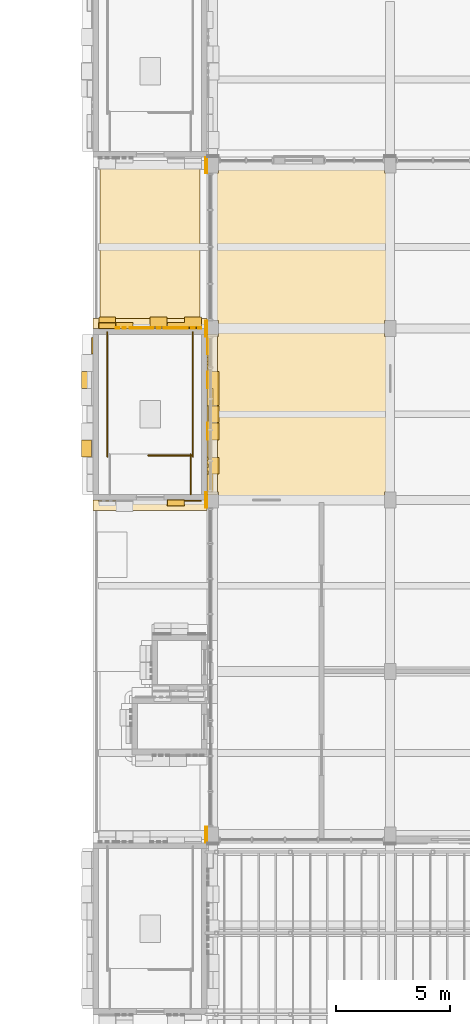
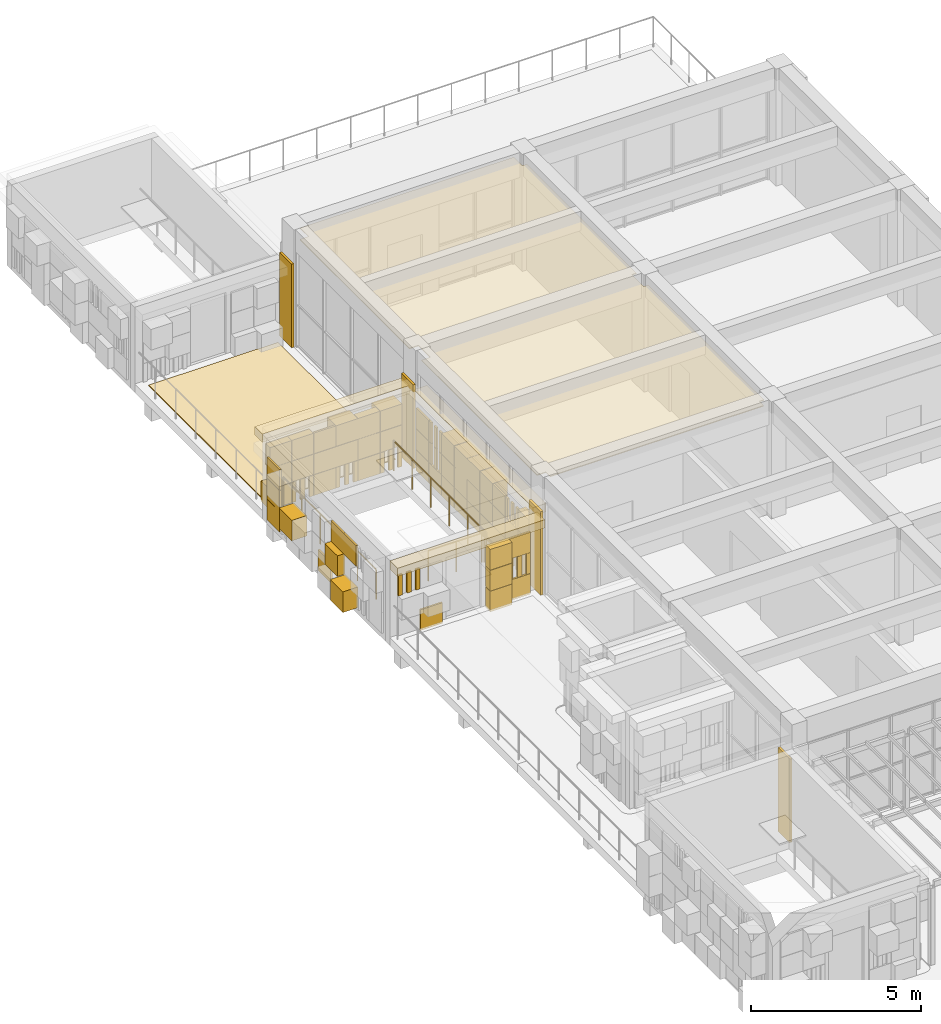
# One storey, part 24 of 26: 23 coverings, 4 railings.
"""IFC4 building model written with IfcOpenShell, lengths in metres."""

from ifc_helpers import new_model, si_unit, direction, frame, origin, origin_2d, place, context, subcontext, project, spatial, polyline, rectangle, circle, outline, extrude, material, layer, layer_set, type_object, element, save


model = new_model("IFC4")

# Units and contexts
model_context = context("Model", 3, precision=1e-05, world=origin(), true_north=direction((0.0, 1.0)))
body_context = subcontext(model_context, "Body", "Model", "MODEL_VIEW")
ifc_project = project(units=[si_unit("LENGTHUNIT", "METRE"), si_unit("AREAUNIT", "SQUARE_METRE"), si_unit("VOLUMEUNIT", "CUBIC_METRE"), si_unit("PLANEANGLEUNIT", "RADIAN"), si_unit("MASSUNIT", "GRAM", prefix="KILO")], contexts=[model_context])

# Site, building, storey
site_placement = place(None, origin())
site = spatial("IfcSite", under=ifc_project, at=site_placement, CompositionType="ELEMENT")
building_placement = place(site_placement, origin())
building = spatial("IfcBuilding", under=site, at=building_placement, Name="Sun Court Science Centre", CompositionType="ELEMENT")
storey_placement = place(building_placement, frame((0.0, 0.0, 29.25)))
storey = spatial("IfcBuildingStorey", under=building, at=storey_placement, Name="L06", CompositionType="ELEMENT", Elevation=29.25)

# Covering
ifc_material_1 = material(Name="Gypsum board")
ifc_layer_1 = layer(ifc_material_1, 0.030029296875)
ifc_layer_set_1 = layer_set([ifc_layer_1], Name="Gypsum board")
covering_type_1 = type_object("IfcCoveringType", Name="Ceiling suspended 600 module", PredefinedType="CEILING", material=ifc_layer_set_1)
covering_1_placement = place(storey_placement, frame((0.0, 0.0, 3.77001953125)))
element("IfcCovering", 1, at=covering_1_placement, inside=storey, type_object=covering_type_1, Name="L06-009 ceiling", PredefinedType="CEILING", context=body_context, shape_type="SweptSolid", body=[
    extrude(outline(polyline([(87.5, 73.300048828125), (94.75, 73.300048828125), (94.75, 72.800048828125), (94.89990234375, 72.800048828125), (94.89990234375, 66.35009765625), (94.75, 66.35009765625), (94.75, 65.64990234375), (94.89990234375, 65.64990234375), (94.89990234375, 58.85009765625), (94.75, 58.85009765625), (94.75, 58.60009765625), (87.5, 58.60009765625), (87.5, 58.85009765625), (87.199951171875, 58.85009765625), (87.199951171875, 65.64990234375), (87.5, 65.64990234375), (87.5, 66.35009765625), (87.199951171875, 66.35009765625), (87.199951171875, 72.800048828125), (87.5, 72.800048828125), (87.5, 73.300048828125)])), origin(), (0.0, 0.0, 1.0), 0.030029296875),
])

# Railings
ifc_material_2 = material(Name="Steel S275", Category="steel")
railing_type = type_object("IfcRailingType", Name="Guard 1100 steel balustrade", PredefinedType="GUARDRAIL", material=ifc_material_2)
railing_1_placement = place(storey_placement, frame((86.322998046875, 60.447998046875, 0.0)))
element("IfcRailing", 2, at=railing_1_placement, inside=storey, type_object=railing_type, Name="L06 SL3 top well guard 1", PredefinedType="GUARDRAIL", context=body_context, shape_type="SweptSolid", body=[
    extrude(circle(Radius=0.02392578125, at=origin_2d()), frame((0.0, 0.0, 1.076171875), z_axis=(-1.0, 0.0, 0.0), x_axis=(0.0, -1.0, 0.0)), (0.0, 0.0, 1.0), 1.89794921875),
    extrude(circle(Radius=0.02099609375, at=origin_2d()), origin(), (0.0, 0.0, 1.0), 1.052001953125),
    extrude(circle(Radius=0.02099609375, at=origin_2d()), frame((-0.948974609375, 0.0, 0.0)), (0.0, 0.0, 1.0), 1.052001953125),
    extrude(circle(Radius=0.02099609375, at=origin_2d()), frame((-1.89794921875, 0.0, 0.0)), (0.0, 0.0, 1.0), 1.052001953125),
])
for number, where, name in (
    (3, (86.373046875, 60.39794921875, 0.0), "L06 SL3 top well guard 2"),
    (4, (82.626953125, 60.39794921875, 0.0), "L06 SL3 top well guard 3"),
):
    element("IfcRailing", number, at=place(storey_placement, frame(where)), inside=storey, type_object=railing_type, Name=name, PredefinedType="GUARDRAIL", context=body_context, shape_type="SweptSolid", body=[
        extrude(circle(Radius=0.02392578125, at=origin_2d()), frame((0.0, 0.0, 1.076171875), z_axis=(0.0, 1.0, 0.0), x_axis=(-1.0, 0.0, 0.0)), (0.0, 0.0, 1.0), 5.4521484375),
        extrude(circle(Radius=0.02099609375, at=origin_2d()), origin(), (0.0, 0.0, 1.0), 1.052001953125),
        extrude(circle(Radius=0.02099609375, at=origin_2d()), frame((0.0, 1.09033203125, 0.0)), (0.0, 0.0, 1.0), 1.052001953125),
        extrude(circle(Radius=0.02099609375, at=origin_2d()), frame((0.0, 2.180908203125, 0.0)), (0.0, 0.0, 1.0), 1.052001953125),
        extrude(circle(Radius=0.02099609375, at=origin_2d()), frame((0.0, 3.271240234375, 0.0)), (0.0, 0.0, 1.0), 1.052001953125),
        extrude(circle(Radius=0.02099609375, at=origin_2d()), frame((0.0, 4.36181640625, 0.0)), (0.0, 0.0, 1.0), 1.052001953125),
        extrude(circle(Radius=0.02099609375, at=origin_2d()), frame((0.0, 5.4521484375, 0.0)), (0.0, 0.0, 1.0), 1.052001953125),
    ])
railing_2_placement = place(storey_placement, frame((86.27294921875, 58.75, 0.0)))
element("IfcRailing", 5, at=railing_2_placement, inside=storey, type_object=railing_type, Name="L06 SL3 top well guard 4", PredefinedType="GUARDRAIL", context=body_context, shape_type="SweptSolid", body=[
    extrude(circle(Radius=0.02392578125, at=origin_2d()), frame((0.0, 0.0, 1.076171875), z_axis=(0.0, 1.0, 0.0), x_axis=(-1.0, 0.0, 0.0)), (0.0, 0.0, 1.0), 1.748046875),
    extrude(circle(Radius=0.02099609375, at=origin_2d()), origin(), (0.0, 0.0, 1.0), 1.052001953125),
    extrude(circle(Radius=0.02099609375, at=origin_2d()), frame((0.0, 0.8740234375, 0.0)), (0.0, 0.0, 1.0), 1.052001953125),
    extrude(circle(Radius=0.02099609375, at=origin_2d()), frame((0.0, 1.748046875, 0.0)), (0.0, 0.0, 1.0), 1.052001953125),
])

# Coverings
ifc_material_3 = material(Name="Red sandstone", Category="masonry")
ifc_layer_2 = layer(ifc_material_3, 0.080078125)
ifc_layer_set_2 = layer_set([ifc_layer_2], Name="Red sandstone")
covering_type_2 = type_object("IfcCoveringType", Name="Red sandstone pier cladding", PredefinedType="CLADDING", material=ifc_layer_set_2)
covering_2_placement = place(storey_placement, frame((0.0, 0.0, -29.25)))
element("IfcCovering", 6, at=covering_2_placement, inside=storey, type_object=covering_type_2, Name="Red sandstone pier cladding observatory west face L06", PredefinedType="CLADDING", context=body_context, shape_type="SweptSolid", body=[
    extrude(rectangle(XDim=0.699951171875, YDim=0.080078125, at=origin_2d()), frame((86.9599609375, 43.85009765625, 29.25), z_axis=(0.0, 0.0, 1.0), x_axis=(0.0, 1.0, 0.0)), (0.0, 0.0, 1.0), 3.0),
    extrude(rectangle(XDim=0.699951171875, YDim=0.080078125, at=origin_2d()), frame((86.9599609375, 58.5, 29.25), z_axis=(0.0, 0.0, 1.0), x_axis=(0.0, 1.0, 0.0)), (0.0, 0.0, 1.0), 3.0),
    extrude(rectangle(XDim=0.699951171875, YDim=0.080078125, at=origin_2d()), frame((86.9599609375, 66.0, 29.25), z_axis=(0.0, 0.0, 1.0), x_axis=(0.0, 1.0, 0.0)), (0.0, 0.0, 1.0), 3.0),
    extrude(rectangle(XDim=0.699951171875, YDim=0.080078125, at=origin_2d()), frame((86.9599609375, 73.14990234375, 29.25), z_axis=(0.0, 0.0, 1.0), x_axis=(0.0, 1.0, 0.0)), (0.0, 0.0, 1.0), 3.0),
])
ifc_material_4 = material(Name="Sandstone paving", Category="masonry")
ifc_layer_3 = layer(ifc_material_4, 0.0400390625)
ifc_layer_set_3 = layer_set([ifc_layer_3], Name="Sandstone paving")
covering_type_3 = type_object("IfcCoveringType", Name="Terrace paving 40", PredefinedType="FLOORING", material=ifc_layer_set_3)
covering_3_placement = place(storey_placement, origin())
element("IfcCovering", 7, at=covering_3_placement, inside=storey, type_object=covering_type_3, Name="Observatory terrace paving", PredefinedType="FLOORING", context=body_context, shape_type="SweptSolid", body=[
    extrude(outline(polyline([(82.300048828125, 73.199951171875), (86.68994140625, 73.199951171875), (86.68994140625, 66.300048828125), (82.300048828125, 66.300048828125), (82.300048828125, 73.199951171875)])), origin(), (0.0, 0.0, 1.0), 0.0400390625),
])
ifc_material_5 = material(Name="Terracotta panel", Category="masonry")
ifc_layer_4 = layer(ifc_material_5, 0.449951171875)
ifc_layer_set_4 = layer_set([ifc_layer_4], Name="Terracotta panel")
covering_type_4 = type_object("IfcCoveringType", Name="Terracotta cornice 450", PredefinedType="CLADDING", material=ifc_layer_set_4)
covering_4_placement = place(storey_placement, frame((0.0, 0.0, -29.25)))
element("IfcCovering", 8, at=covering_4_placement, inside=storey, type_object=covering_type_4, Name="Terracotta cornice east face of core L06", PredefinedType="CLADDING", context=body_context, shape_type="SweptSolid", body=[
    extrude(rectangle(XDim=7.0, YDim=0.449951171875, at=origin_2d()), frame((87.22509765625, 62.25, 31.7001953125), z_axis=(0.0, 0.0, 1.0), x_axis=(0.0, -1.0, 0.0)), (0.0, 0.0, 1.0), 0.300048828125),
])
covering_5_placement = place(storey_placement, frame((0.0, 0.0, -29.25)))
element("IfcCovering", 9, at=covering_5_placement, inside=storey, type_object=covering_type_4, Name="Terracotta cornice north face of core L06", PredefinedType="CLADDING", context=body_context, shape_type="SweptSolid", body=[
    extrude(rectangle(XDim=5.0, YDim=0.449951171875, at=origin_2d()), frame((84.5, 66.22509765625, 31.7001953125), z_axis=(0.0, 0.0, 1.0), x_axis=(1.0, 0.0, 0.0)), (0.0, 0.0, 1.0), 0.300048828125),
])
covering_6_placement = place(storey_placement, frame((0.0, 0.0, -29.25)))
element("IfcCovering", 10, at=covering_6_placement, inside=storey, type_object=covering_type_4, Name="Terracotta cornice south face of core L06", PredefinedType="CLADDING", context=body_context, shape_type="SweptSolid", body=[
    extrude(rectangle(XDim=5.0, YDim=0.449951171875, at=origin_2d()), frame((84.5, 58.27490234375, 31.7001953125), z_axis=(0.0, 0.0, 1.0), x_axis=(-1.0, 0.0, 0.0)), (0.0, 0.0, 1.0), 0.300048828125),
])
ifc_material_6 = material(Name="Terracotta jali", Category="masonry")
ifc_layer_5 = layer(ifc_material_6, 0.06005859375)
ifc_layer_set_5 = layer_set([ifc_layer_5], Name="Terracotta jali")
covering_type_5 = type_object("IfcCoveringType", Name="Terracotta open jali panel", PredefinedType="CLADDING", material=ifc_layer_set_5)
covering_7_placement = place(storey_placement, frame((0.0, 0.0, -29.25)))
element("IfcCovering", 11, at=covering_7_placement, inside=storey, type_object=covering_type_5, Name="Open jali pixel cladding east face of core L06", PredefinedType="CLADDING", context=body_context, shape_type="SweptSolid", body=[
    extrude(rectangle(XDim=0.139892578125, YDim=0.06005859375, at=origin_2d()), frame((87.030029296875, 60.300048828125, 29.18017578125), z_axis=(0.0, 0.0, 1.0), x_axis=(0.0, -1.0, 0.0)), (0.0, 0.0, 1.0), 0.739990234375),
    extrude(rectangle(XDim=0.139892578125, YDim=0.06005859375, at=origin_2d()), frame((87.030029296875, 60.0, 29.18017578125), z_axis=(0.0, 0.0, 1.0), x_axis=(0.0, -1.0, 0.0)), (0.0, 0.0, 1.0), 0.739990234375),
    extrude(rectangle(XDim=0.139892578125, YDim=0.06005859375, at=origin_2d()), frame((87.030029296875, 59.699951171875, 29.18017578125), z_axis=(0.0, 0.0, 1.0), x_axis=(0.0, -1.0, 0.0)), (0.0, 0.0, 1.0), 0.739990234375),
    extrude(rectangle(XDim=0.139892578125, YDim=0.06005859375, at=origin_2d()), frame((87.030029296875, 64.800048828125, 29.93017578125), z_axis=(0.0, 0.0, 1.0), x_axis=(0.0, -1.0, 0.0)), (0.0, 0.0, 1.0), 0.739990234375),
    extrude(rectangle(XDim=0.139892578125, YDim=0.06005859375, at=origin_2d()), frame((87.030029296875, 64.5, 29.93017578125), z_axis=(0.0, 0.0, 1.0), x_axis=(0.0, -1.0, 0.0)), (0.0, 0.0, 1.0), 0.739990234375),
    extrude(rectangle(XDim=0.139892578125, YDim=0.06005859375, at=origin_2d()), frame((87.030029296875, 64.199951171875, 29.93017578125), z_axis=(0.0, 0.0, 1.0), x_axis=(0.0, -1.0, 0.0)), (0.0, 0.0, 1.0), 0.739990234375),
    extrude(rectangle(XDim=0.139892578125, YDim=0.06005859375, at=origin_2d()), frame((87.030029296875, 64.800048828125, 30.68017578125), z_axis=(0.0, 0.0, 1.0), x_axis=(0.0, -1.0, 0.0)), (0.0, 0.0, 1.0), 0.739990234375),
    extrude(rectangle(XDim=0.139892578125, YDim=0.06005859375, at=origin_2d()), frame((87.030029296875, 64.5, 30.68017578125), z_axis=(0.0, 0.0, 1.0), x_axis=(0.0, -1.0, 0.0)), (0.0, 0.0, 1.0), 0.739990234375),
    extrude(rectangle(XDim=0.139892578125, YDim=0.06005859375, at=origin_2d()), frame((87.030029296875, 64.199951171875, 30.68017578125), z_axis=(0.0, 0.0, 1.0), x_axis=(0.0, -1.0, 0.0)), (0.0, 0.0, 1.0), 0.739990234375),
    extrude(rectangle(XDim=0.139892578125, YDim=0.06005859375, at=origin_2d()), frame((87.030029296875, 60.300048828125, 30.68017578125), z_axis=(0.0, 0.0, 1.0), x_axis=(0.0, -1.0, 0.0)), (0.0, 0.0, 1.0), 0.739990234375),
    extrude(rectangle(XDim=0.139892578125, YDim=0.06005859375, at=origin_2d()), frame((87.030029296875, 60.0, 30.68017578125), z_axis=(0.0, 0.0, 1.0), x_axis=(0.0, -1.0, 0.0)), (0.0, 0.0, 1.0), 0.739990234375),
    extrude(rectangle(XDim=0.139892578125, YDim=0.06005859375, at=origin_2d()), frame((87.030029296875, 59.699951171875, 30.68017578125), z_axis=(0.0, 0.0, 1.0), x_axis=(0.0, -1.0, 0.0)), (0.0, 0.0, 1.0), 0.739990234375),
    extrude(rectangle(XDim=0.739990234375, YDim=0.510009765625, at=origin_2d()), frame((87.2548828125, 60.0, 29.93017578125), z_axis=(0.0, 0.0, 1.0), x_axis=(0.0, -1.0, 0.0)), (0.0, 0.0, 1.0), 0.739990234375),
])
covering_8_placement = place(storey_placement, frame((0.0, 0.0, -29.25)))
element("IfcCovering", 12, at=covering_8_placement, inside=storey, type_object=covering_type_5, Name="Open jali pixel cladding north face of core L06", PredefinedType="CLADDING", context=body_context, shape_type="SweptSolid", body=[
    extrude(rectangle(XDim=0.139892578125, YDim=0.06005859375, at=origin_2d()), frame((83.074951171875, 66.030029296875, 29.18017578125), z_axis=(0.0, 0.0, 1.0), x_axis=(1.0, 0.0, 0.0)), (0.0, 0.0, 1.0), 0.739990234375),
    extrude(rectangle(XDim=0.139892578125, YDim=0.06005859375, at=origin_2d()), frame((83.375, 66.030029296875, 29.18017578125), z_axis=(0.0, 0.0, 1.0), x_axis=(1.0, 0.0, 0.0)), (0.0, 0.0, 1.0), 0.739990234375),
    extrude(rectangle(XDim=0.139892578125, YDim=0.06005859375, at=origin_2d()), frame((83.675048828125, 66.030029296875, 29.18017578125), z_axis=(0.0, 0.0, 1.0), x_axis=(1.0, 0.0, 0.0)), (0.0, 0.0, 1.0), 0.739990234375),
    extrude(rectangle(XDim=0.139892578125, YDim=0.06005859375, at=origin_2d()), frame((84.574951171875, 66.030029296875, 29.18017578125), z_axis=(0.0, 0.0, 1.0), x_axis=(1.0, 0.0, 0.0)), (0.0, 0.0, 1.0), 0.739990234375),
    extrude(rectangle(XDim=0.139892578125, YDim=0.06005859375, at=origin_2d()), frame((84.875, 66.030029296875, 29.18017578125), z_axis=(0.0, 0.0, 1.0), x_axis=(1.0, 0.0, 0.0)), (0.0, 0.0, 1.0), 0.739990234375),
    extrude(rectangle(XDim=0.139892578125, YDim=0.06005859375, at=origin_2d()), frame((85.175048828125, 66.030029296875, 29.18017578125), z_axis=(0.0, 0.0, 1.0), x_axis=(1.0, 0.0, 0.0)), (0.0, 0.0, 1.0), 0.739990234375),
    extrude(rectangle(XDim=0.139892578125, YDim=0.06005859375, at=origin_2d()), frame((86.074951171875, 66.030029296875, 29.18017578125), z_axis=(0.0, 0.0, 1.0), x_axis=(1.0, 0.0, 0.0)), (0.0, 0.0, 1.0), 0.739990234375),
    extrude(rectangle(XDim=0.139892578125, YDim=0.06005859375, at=origin_2d()), frame((86.375, 66.030029296875, 29.18017578125), z_axis=(0.0, 0.0, 1.0), x_axis=(1.0, 0.0, 0.0)), (0.0, 0.0, 1.0), 0.739990234375),
    extrude(rectangle(XDim=0.139892578125, YDim=0.06005859375, at=origin_2d()), frame((86.675048828125, 66.030029296875, 29.18017578125), z_axis=(0.0, 0.0, 1.0), x_axis=(1.0, 0.0, 0.0)), (0.0, 0.0, 1.0), 0.739990234375),
])
covering_9_placement = place(storey_placement, frame((0.0, 0.0, -29.25)))
element("IfcCovering", 13, at=covering_9_placement, inside=storey, type_object=covering_type_5, Name="Open jali pixel cladding south face of core L06", PredefinedType="CLADDING", context=body_context, shape_type="SweptSolid", body=[
    extrude(rectangle(XDim=0.139892578125, YDim=0.06005859375, at=origin_2d()), frame((86.675048828125, 58.469970703125, 29.93017578125), z_axis=(0.0, 0.0, 1.0), x_axis=(-1.0, 0.0, 0.0)), (0.0, 0.0, 1.0), 0.739990234375),
    extrude(rectangle(XDim=0.139892578125, YDim=0.06005859375, at=origin_2d()), frame((86.375, 58.469970703125, 29.93017578125), z_axis=(0.0, 0.0, 1.0), x_axis=(-1.0, 0.0, 0.0)), (0.0, 0.0, 1.0), 0.739990234375),
    extrude(rectangle(XDim=0.139892578125, YDim=0.06005859375, at=origin_2d()), frame((86.074951171875, 58.469970703125, 29.93017578125), z_axis=(0.0, 0.0, 1.0), x_axis=(-1.0, 0.0, 0.0)), (0.0, 0.0, 1.0), 0.739990234375),
    extrude(rectangle(XDim=0.139892578125, YDim=0.06005859375, at=origin_2d()), frame((82.925048828125, 58.469970703125, 30.68017578125), z_axis=(0.0, 0.0, 1.0), x_axis=(-1.0, 0.0, 0.0)), (0.0, 0.0, 1.0), 0.739990234375),
    extrude(rectangle(XDim=0.139892578125, YDim=0.06005859375, at=origin_2d()), frame((82.625, 58.469970703125, 30.68017578125), z_axis=(0.0, 0.0, 1.0), x_axis=(-1.0, 0.0, 0.0)), (0.0, 0.0, 1.0), 0.739990234375),
    extrude(rectangle(XDim=0.139892578125, YDim=0.06005859375, at=origin_2d()), frame((82.324951171875, 58.469970703125, 30.68017578125), z_axis=(0.0, 0.0, 1.0), x_axis=(-1.0, 0.0, 0.0)), (0.0, 0.0, 1.0), 0.739990234375),
    extrude(rectangle(XDim=0.739990234375, YDim=0.06005859375, at=origin_2d()), frame((86.375, 58.469970703125, 30.68017578125), z_axis=(0.0, 0.0, 1.0), x_axis=(-1.0, 0.0, 0.0)), (0.0, 0.0, 1.0), 0.739990234375),
    extrude(rectangle(XDim=0.739990234375, YDim=0.260009765625, at=origin_2d()), frame((85.625, 58.3701171875, 30.68017578125), z_axis=(0.0, 0.0, 1.0), x_axis=(-1.0, 0.0, 0.0)), (0.0, 0.0, 1.0), 0.739990234375),
])
ifc_material_7 = material(Name="Terracotta shade 1", Category="masonry")
ifc_layer_6 = layer(ifc_material_7, 0.06005859375)
ifc_layer_set_6 = layer_set([ifc_layer_6], Name="Terracotta shade 1")
covering_type_6 = type_object("IfcCoveringType", Name="Terracotta pixel panel shade 1", PredefinedType="CLADDING", material=ifc_layer_set_6)
covering_10_placement = place(storey_placement, frame((0.0, 0.0, -29.25)))
element("IfcCovering", 14, at=covering_10_placement, inside=storey, type_object=covering_type_6, Name="Terracotta pixel cladding shade 1 east face of core L06", PredefinedType="CLADDING", context=body_context, shape_type="SweptSolid", body=[
    extrude(rectangle(XDim=0.739990234375, YDim=0.260009765625, at=origin_2d()), frame((87.1298828125, 63.75, 29.18017578125), z_axis=(0.0, 0.0, 1.0), x_axis=(0.0, -1.0, 0.0)), (0.0, 0.0, 1.0), 0.739990234375),
    extrude(rectangle(XDim=0.739990234375, YDim=0.06005859375, at=origin_2d()), frame((87.030029296875, 62.25, 29.18017578125), z_axis=(0.0, 0.0, 1.0), x_axis=(0.0, -1.0, 0.0)), (0.0, 0.0, 1.0), 0.739990234375),
    extrude(rectangle(XDim=0.739990234375, YDim=0.260009765625, at=origin_2d()), frame((87.1298828125, 63.0, 29.93017578125), z_axis=(0.0, 0.0, 1.0), x_axis=(0.0, -1.0, 0.0)), (0.0, 0.0, 1.0), 0.739990234375),
    extrude(rectangle(XDim=0.739990234375, YDim=0.06005859375, at=origin_2d()), frame((87.030029296875, 60.75, 29.93017578125), z_axis=(0.0, 0.0, 1.0), x_axis=(0.0, -1.0, 0.0)), (0.0, 0.0, 1.0), 0.739990234375),
    extrude(rectangle(XDim=0.739990234375, YDim=0.06005859375, at=origin_2d()), frame((87.030029296875, 59.25, 29.93017578125), z_axis=(0.0, 0.0, 1.0), x_axis=(0.0, -1.0, 0.0)), (0.0, 0.0, 1.0), 0.739990234375),
    extrude(rectangle(XDim=0.739990234375, YDim=0.510009765625, at=origin_2d()), frame((87.2548828125, 63.0, 30.68017578125), z_axis=(0.0, 0.0, 1.0), x_axis=(0.0, -1.0, 0.0)), (0.0, 0.0, 1.0), 0.739990234375),
    extrude(rectangle(XDim=0.739990234375, YDim=0.510009765625, at=origin_2d()), frame((87.2548828125, 62.25, 30.68017578125), z_axis=(0.0, 0.0, 1.0), x_axis=(0.0, -1.0, 0.0)), (0.0, 0.0, 1.0), 0.739990234375),
    extrude(rectangle(XDim=0.739990234375, YDim=0.260009765625, at=origin_2d()), frame((87.1298828125, 59.25, 30.68017578125), z_axis=(0.0, 0.0, 1.0), x_axis=(0.0, -1.0, 0.0)), (0.0, 0.0, 1.0), 0.739990234375),
    extrude(rectangle(XDim=0.739990234375, YDim=0.510009765625, at=origin_2d()), frame((87.2548828125, 63.75, 30.68017578125), z_axis=(0.0, 0.0, 1.0), x_axis=(0.0, -1.0, 0.0)), (0.0, 0.0, 1.0), 0.739990234375),
    extrude(rectangle(XDim=0.739990234375, YDim=0.260009765625, at=origin_2d()), frame((87.1298828125, 59.25, 29.18017578125), z_axis=(0.0, 0.0, 1.0), x_axis=(0.0, -1.0, 0.0)), (0.0, 0.0, 1.0), 0.739990234375),
])
covering_11_placement = place(storey_placement, frame((0.0, 0.0, -29.25)))
element("IfcCovering", 15, at=covering_11_placement, inside=storey, type_object=covering_type_6, Name="Terracotta pixel cladding shade 1 north face of core L06", PredefinedType="CLADDING", context=body_context, shape_type="SweptSolid", body=[
    extrude(rectangle(XDim=0.739990234375, YDim=0.510009765625, at=origin_2d()), frame((82.625, 66.2548828125, 29.18017578125), z_axis=(0.0, 0.0, 1.0), x_axis=(1.0, 0.0, 0.0)), (0.0, 0.0, 1.0), 0.739990234375),
    extrude(rectangle(XDim=0.739990234375, YDim=0.260009765625, at=origin_2d()), frame((83.375, 66.1298828125, 29.93017578125), z_axis=(0.0, 0.0, 1.0), x_axis=(1.0, 0.0, 0.0)), (0.0, 0.0, 1.0), 0.739990234375),
    extrude(rectangle(XDim=0.739990234375, YDim=0.06005859375, at=origin_2d()), frame((84.125, 66.030029296875, 29.93017578125), z_axis=(0.0, 0.0, 1.0), x_axis=(1.0, 0.0, 0.0)), (0.0, 0.0, 1.0), 0.739990234375),
    extrude(rectangle(XDim=0.739990234375, YDim=0.06005859375, at=origin_2d()), frame((84.875, 66.030029296875, 29.93017578125), z_axis=(0.0, 0.0, 1.0), x_axis=(1.0, 0.0, 0.0)), (0.0, 0.0, 1.0), 0.739990234375),
    extrude(rectangle(XDim=0.739990234375, YDim=0.06005859375, at=origin_2d()), frame((84.125, 66.030029296875, 30.68017578125), z_axis=(0.0, 0.0, 1.0), x_axis=(1.0, 0.0, 0.0)), (0.0, 0.0, 1.0), 0.739990234375),
])
covering_12_placement = place(storey_placement, frame((0.0, 0.0, -29.25)))
element("IfcCovering", 16, at=covering_12_placement, inside=storey, type_object=covering_type_6, Name="Terracotta pixel cladding shade 1 west face of core L06", PredefinedType="CLADDING", context=body_context, shape_type="SweptSolid", body=[
    extrude(rectangle(XDim=0.739990234375, YDim=0.510009765625, at=origin_2d()), frame((81.7451171875, 60.75, 29.18017578125), z_axis=(0.0, 0.0, 1.0), x_axis=(0.0, 1.0, 0.0)), (0.0, 0.0, 1.0), 0.739990234375),
    extrude(rectangle(XDim=0.739990234375, YDim=0.06005859375, at=origin_2d()), frame((81.969970703125, 62.25, 29.18017578125), z_axis=(0.0, 0.0, 1.0), x_axis=(0.0, 1.0, 0.0)), (0.0, 0.0, 1.0), 0.739990234375),
    extrude(rectangle(XDim=0.739990234375, YDim=0.06005859375, at=origin_2d()), frame((81.969970703125, 65.25, 29.18017578125), z_axis=(0.0, 0.0, 1.0), x_axis=(0.0, 1.0, 0.0)), (0.0, 0.0, 1.0), 0.739990234375),
    extrude(rectangle(XDim=0.739990234375, YDim=0.260009765625, at=origin_2d()), frame((81.8701171875, 61.5, 29.93017578125), z_axis=(0.0, 0.0, 1.0), x_axis=(0.0, 1.0, 0.0)), (0.0, 0.0, 1.0), 0.739990234375),
    extrude(rectangle(XDim=0.739990234375, YDim=0.510009765625, at=origin_2d()), frame((81.7451171875, 63.75, 29.93017578125), z_axis=(0.0, 0.0, 1.0), x_axis=(0.0, 1.0, 0.0)), (0.0, 0.0, 1.0), 0.739990234375),
    extrude(rectangle(XDim=0.739990234375, YDim=0.06005859375, at=origin_2d()), frame((81.969970703125, 60.75, 30.68017578125), z_axis=(0.0, 0.0, 1.0), x_axis=(0.0, 1.0, 0.0)), (0.0, 0.0, 1.0), 0.739990234375),
    extrude(rectangle(XDim=0.739990234375, YDim=0.06005859375, at=origin_2d()), frame((81.969970703125, 61.5, 30.68017578125), z_axis=(0.0, 0.0, 1.0), x_axis=(0.0, 1.0, 0.0)), (0.0, 0.0, 1.0), 0.739990234375),
    extrude(rectangle(XDim=0.739990234375, YDim=0.06005859375, at=origin_2d()), frame((81.969970703125, 65.25, 29.93017578125), z_axis=(0.0, 0.0, 1.0), x_axis=(0.0, 1.0, 0.0)), (0.0, 0.0, 1.0), 0.739990234375),
    extrude(rectangle(XDim=0.739990234375, YDim=0.06005859375, at=origin_2d()), frame((81.969970703125, 65.25, 30.68017578125), z_axis=(0.0, 0.0, 1.0), x_axis=(0.0, 1.0, 0.0)), (0.0, 0.0, 1.0), 0.739990234375),
])
ifc_material_8 = material(Name="Terracotta shade 2", Category="masonry")
ifc_layer_7 = layer(ifc_material_8, 0.06005859375)
ifc_layer_set_7 = layer_set([ifc_layer_7], Name="Terracotta shade 2")
covering_type_7 = type_object("IfcCoveringType", Name="Terracotta pixel panel shade 2", PredefinedType="CLADDING", material=ifc_layer_set_7)
covering_13_placement = place(storey_placement, frame((0.0, 0.0, -29.25)))
element("IfcCovering", 17, at=covering_13_placement, inside=storey, type_object=covering_type_7, Name="Terracotta pixel cladding shade 2 east face of core L06", PredefinedType="CLADDING", context=body_context, shape_type="SweptSolid", body=[
    extrude(rectangle(XDim=0.739990234375, YDim=0.260009765625, at=origin_2d()), frame((87.1298828125, 63.0, 29.18017578125), z_axis=(0.0, 0.0, 1.0), x_axis=(0.0, -1.0, 0.0)), (0.0, 0.0, 1.0), 0.739990234375),
    extrude(rectangle(XDim=0.739990234375, YDim=0.06005859375, at=origin_2d()), frame((87.030029296875, 61.5, 29.18017578125), z_axis=(0.0, 0.0, 1.0), x_axis=(0.0, -1.0, 0.0)), (0.0, 0.0, 1.0), 0.739990234375),
    extrude(rectangle(XDim=0.739990234375, YDim=0.06005859375, at=origin_2d()), frame((87.030029296875, 60.75, 29.18017578125), z_axis=(0.0, 0.0, 1.0), x_axis=(0.0, -1.0, 0.0)), (0.0, 0.0, 1.0), 0.739990234375),
    extrude(rectangle(XDim=0.739990234375, YDim=0.06005859375, at=origin_2d()), frame((87.030029296875, 60.75, 30.68017578125), z_axis=(0.0, 0.0, 1.0), x_axis=(0.0, -1.0, 0.0)), (0.0, 0.0, 1.0), 0.739990234375),
])
covering_14_placement = place(storey_placement, frame((0.0, 0.0, -29.25)))
element("IfcCovering", 18, at=covering_14_placement, inside=storey, type_object=covering_type_7, Name="Terracotta pixel cladding shade 2 north face of core L06", PredefinedType="CLADDING", context=body_context, shape_type="SweptSolid", body=[
    extrude(rectangle(XDim=0.739990234375, YDim=0.06005859375, at=origin_2d()), frame((85.625, 66.030029296875, 29.93017578125), z_axis=(0.0, 0.0, 1.0), x_axis=(1.0, 0.0, 0.0)), (0.0, 0.0, 1.0), 0.739990234375),
    extrude(rectangle(XDim=0.739990234375, YDim=0.510009765625, at=origin_2d()), frame((84.875, 66.2548828125, 30.68017578125), z_axis=(0.0, 0.0, 1.0), x_axis=(1.0, 0.0, 0.0)), (0.0, 0.0, 1.0), 0.739990234375),
    extrude(rectangle(XDim=0.739990234375, YDim=0.260009765625, at=origin_2d()), frame((85.625, 66.1298828125, 30.68017578125), z_axis=(0.0, 0.0, 1.0), x_axis=(1.0, 0.0, 0.0)), (0.0, 0.0, 1.0), 0.739990234375),
    extrude(rectangle(XDim=0.739990234375, YDim=0.510009765625, at=origin_2d()), frame((86.375, 66.2548828125, 30.68017578125), z_axis=(0.0, 0.0, 1.0), x_axis=(1.0, 0.0, 0.0)), (0.0, 0.0, 1.0), 0.739990234375),
])
ifc_material_9 = material(Name="Terracotta shade 3", Category="masonry")
ifc_layer_8 = layer(ifc_material_9, 0.06005859375)
ifc_layer_set_8 = layer_set([ifc_layer_8], Name="Terracotta shade 3")
covering_type_8 = type_object("IfcCoveringType", Name="Terracotta pixel panel shade 3", PredefinedType="CLADDING", material=ifc_layer_set_8)
covering_15_placement = place(storey_placement, frame((0.0, 0.0, -29.25)))
element("IfcCovering", 19, at=covering_15_placement, inside=storey, type_object=covering_type_8, Name="Terracotta pixel cladding shade 3 east face of core L06", PredefinedType="CLADDING", context=body_context, shape_type="SweptSolid", body=[
    extrude(rectangle(XDim=0.739990234375, YDim=0.06005859375, at=origin_2d()), frame((87.030029296875, 64.5, 29.18017578125), z_axis=(0.0, 0.0, 1.0), x_axis=(0.0, -1.0, 0.0)), (0.0, 0.0, 1.0), 0.739990234375),
    extrude(rectangle(XDim=0.739990234375, YDim=0.06005859375, at=origin_2d()), frame((87.030029296875, 65.25, 29.93017578125), z_axis=(0.0, 0.0, 1.0), x_axis=(0.0, -1.0, 0.0)), (0.0, 0.0, 1.0), 0.739990234375),
    extrude(rectangle(XDim=0.739990234375, YDim=0.06005859375, at=origin_2d()), frame((87.030029296875, 62.25, 29.93017578125), z_axis=(0.0, 0.0, 1.0), x_axis=(0.0, -1.0, 0.0)), (0.0, 0.0, 1.0), 0.739990234375),
    extrude(rectangle(XDim=0.739990234375, YDim=0.510009765625, at=origin_2d()), frame((87.2548828125, 61.5, 30.68017578125), z_axis=(0.0, 0.0, 1.0), x_axis=(0.0, -1.0, 0.0)), (0.0, 0.0, 1.0), 0.739990234375),
])
covering_16_placement = place(storey_placement, frame((0.0, 0.0, -29.25)))
element("IfcCovering", 20, at=covering_16_placement, inside=storey, type_object=covering_type_8, Name="Terracotta pixel cladding shade 3 north face of core L06", PredefinedType="CLADDING", context=body_context, shape_type="SweptSolid", body=[
    extrude(rectangle(XDim=0.739990234375, YDim=0.06005859375, at=origin_2d()), frame((82.625, 66.030029296875, 29.93017578125), z_axis=(0.0, 0.0, 1.0), x_axis=(1.0, 0.0, 0.0)), (0.0, 0.0, 1.0), 0.739990234375),
    extrude(rectangle(XDim=0.739990234375, YDim=0.06005859375, at=origin_2d()), frame((86.375, 66.030029296875, 29.93017578125), z_axis=(0.0, 0.0, 1.0), x_axis=(1.0, 0.0, 0.0)), (0.0, 0.0, 1.0), 0.739990234375),
    extrude(rectangle(XDim=0.739990234375, YDim=0.260009765625, at=origin_2d()), frame((82.625, 66.1298828125, 30.68017578125), z_axis=(0.0, 0.0, 1.0), x_axis=(1.0, 0.0, 0.0)), (0.0, 0.0, 1.0), 0.739990234375),
])
covering_17_placement = place(storey_placement, frame((0.0, 0.0, -29.25)))
element("IfcCovering", 21, at=covering_17_placement, inside=storey, type_object=covering_type_8, Name="Terracotta pixel cladding shade 3 south face of core L06", PredefinedType="CLADDING", context=body_context, shape_type="SweptSolid", body=[
    extrude(rectangle(XDim=0.739990234375, YDim=0.06005859375, at=origin_2d()), frame((86.375, 58.469970703125, 29.18017578125), z_axis=(0.0, 0.0, 1.0), x_axis=(-1.0, 0.0, 0.0)), (0.0, 0.0, 1.0), 0.739990234375),
])
ifc_material_10 = material(Name="Terracotta shade 4", Category="masonry")
ifc_layer_9 = layer(ifc_material_10, 0.06005859375)
ifc_layer_set_9 = layer_set([ifc_layer_9], Name="Terracotta shade 4")
covering_type_9 = type_object("IfcCoveringType", Name="Terracotta pixel panel shade 4", PredefinedType="CLADDING", material=ifc_layer_set_9)
covering_18_placement = place(storey_placement, frame((0.0, 0.0, -29.25)))
element("IfcCovering", 22, at=covering_18_placement, inside=storey, type_object=covering_type_9, Name="Terracotta pixel cladding shade 4 east face of core L06", PredefinedType="CLADDING", context=body_context, shape_type="SweptSolid", body=[
    extrude(rectangle(XDim=0.739990234375, YDim=0.06005859375, at=origin_2d()), frame((87.030029296875, 65.25, 29.18017578125), z_axis=(0.0, 0.0, 1.0), x_axis=(0.0, -1.0, 0.0)), (0.0, 0.0, 1.0), 0.739990234375),
    extrude(rectangle(XDim=0.739990234375, YDim=0.06005859375, at=origin_2d()), frame((87.030029296875, 63.75, 29.93017578125), z_axis=(0.0, 0.0, 1.0), x_axis=(0.0, -1.0, 0.0)), (0.0, 0.0, 1.0), 0.739990234375),
])
covering_19_placement = place(storey_placement, frame((0.0, 0.0, -29.25)))
element("IfcCovering", 23, at=covering_19_placement, inside=storey, type_object=covering_type_9, Name="Terracotta pixel cladding shade 4 north face of core L06", PredefinedType="CLADDING", context=body_context, shape_type="SweptSolid", body=[
    extrude(rectangle(XDim=0.739990234375, YDim=0.06005859375, at=origin_2d()), frame((84.125, 66.030029296875, 29.18017578125), z_axis=(0.0, 0.0, 1.0), x_axis=(1.0, 0.0, 0.0)), (0.0, 0.0, 1.0), 0.739990234375),
    extrude(rectangle(XDim=0.739990234375, YDim=0.06005859375, at=origin_2d()), frame((85.625, 66.030029296875, 29.18017578125), z_axis=(0.0, 0.0, 1.0), x_axis=(1.0, 0.0, 0.0)), (0.0, 0.0, 1.0), 0.739990234375),
])
covering_20_placement = place(storey_placement, frame((0.0, 0.0, -29.25)))
element("IfcCovering", 24, at=covering_20_placement, inside=storey, type_object=covering_type_9, Name="Terracotta pixel cladding shade 4 south face of core L06", PredefinedType="CLADDING", context=body_context, shape_type="SweptSolid", body=[
    extrude(rectangle(XDim=0.739990234375, YDim=0.260009765625, at=origin_2d()), frame((85.625, 58.3701171875, 29.18017578125), z_axis=(0.0, 0.0, 1.0), x_axis=(-1.0, 0.0, 0.0)), (0.0, 0.0, 1.0), 0.739990234375),
    extrude(rectangle(XDim=0.739990234375, YDim=0.06005859375, at=origin_2d()), frame((83.375, 58.469970703125, 29.18017578125), z_axis=(0.0, 0.0, 1.0), x_axis=(-1.0, 0.0, 0.0)), (0.0, 0.0, 1.0), 0.739990234375),
])
ifc_material_11 = material(Name="Terracotta shade 5", Category="masonry")
ifc_layer_10 = layer(ifc_material_11, 0.06005859375)
ifc_layer_set_10 = layer_set([ifc_layer_10], Name="Terracotta shade 5")
covering_type_10 = type_object("IfcCoveringType", Name="Terracotta pixel panel shade 5", PredefinedType="CLADDING", material=ifc_layer_set_10)
covering_21_placement = place(storey_placement, frame((0.0, 0.0, -29.25)))
element("IfcCovering", 25, at=covering_21_placement, inside=storey, type_object=covering_type_10, Name="Terracotta pixel cladding shade 5 east face of core L06", PredefinedType="CLADDING", context=body_context, shape_type="SweptSolid", body=[
    extrude(rectangle(XDim=0.739990234375, YDim=0.06005859375, at=origin_2d()), frame((87.030029296875, 61.5, 29.93017578125), z_axis=(0.0, 0.0, 1.0), x_axis=(0.0, -1.0, 0.0)), (0.0, 0.0, 1.0), 0.739990234375),
    extrude(rectangle(XDim=0.739990234375, YDim=0.06005859375, at=origin_2d()), frame((87.030029296875, 65.25, 30.68017578125), z_axis=(0.0, 0.0, 1.0), x_axis=(0.0, -1.0, 0.0)), (0.0, 0.0, 1.0), 0.739990234375),
])
covering_22_placement = place(storey_placement, frame((0.0, 0.0, -29.25)))
element("IfcCovering", 26, at=covering_22_placement, inside=storey, type_object=covering_type_10, Name="Terracotta pixel cladding shade 5 north face of core L06", PredefinedType="CLADDING", context=body_context, shape_type="SweptSolid", body=[
    extrude(rectangle(XDim=0.739990234375, YDim=0.260009765625, at=origin_2d()), frame((83.375, 66.1298828125, 30.68017578125), z_axis=(0.0, 0.0, 1.0), x_axis=(1.0, 0.0, 0.0)), (0.0, 0.0, 1.0), 0.739990234375),
])
covering_23_placement = place(storey_placement, frame((0.0, 0.0, -29.25)))
element("IfcCovering", 27, at=covering_23_placement, inside=storey, type_object=covering_type_10, Name="Terracotta pixel cladding shade 5 south face of core L06", PredefinedType="CLADDING", context=body_context, shape_type="SweptSolid", body=[
    extrude(rectangle(XDim=0.739990234375, YDim=0.260009765625, at=origin_2d()), frame((85.625, 58.3701171875, 29.93017578125), z_axis=(0.0, 0.0, 1.0), x_axis=(-1.0, 0.0, 0.0)), (0.0, 0.0, 1.0), 0.739990234375),
])

save(model, "model.ifc")
